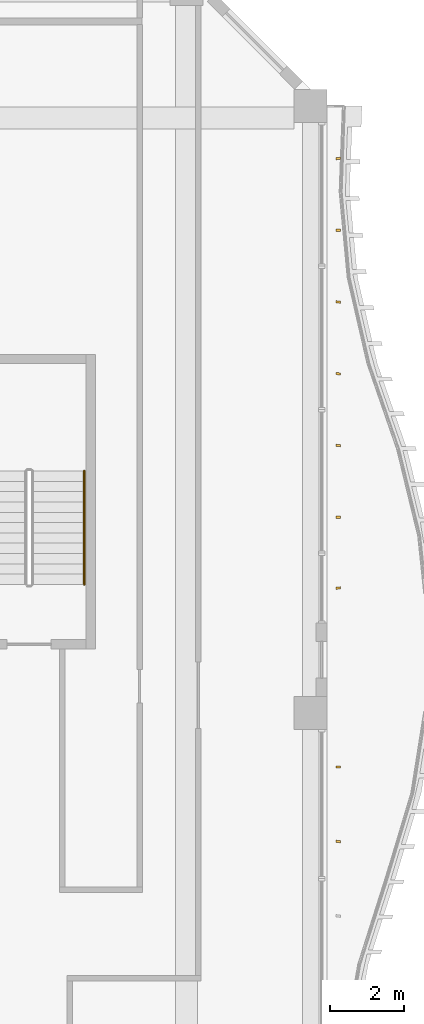
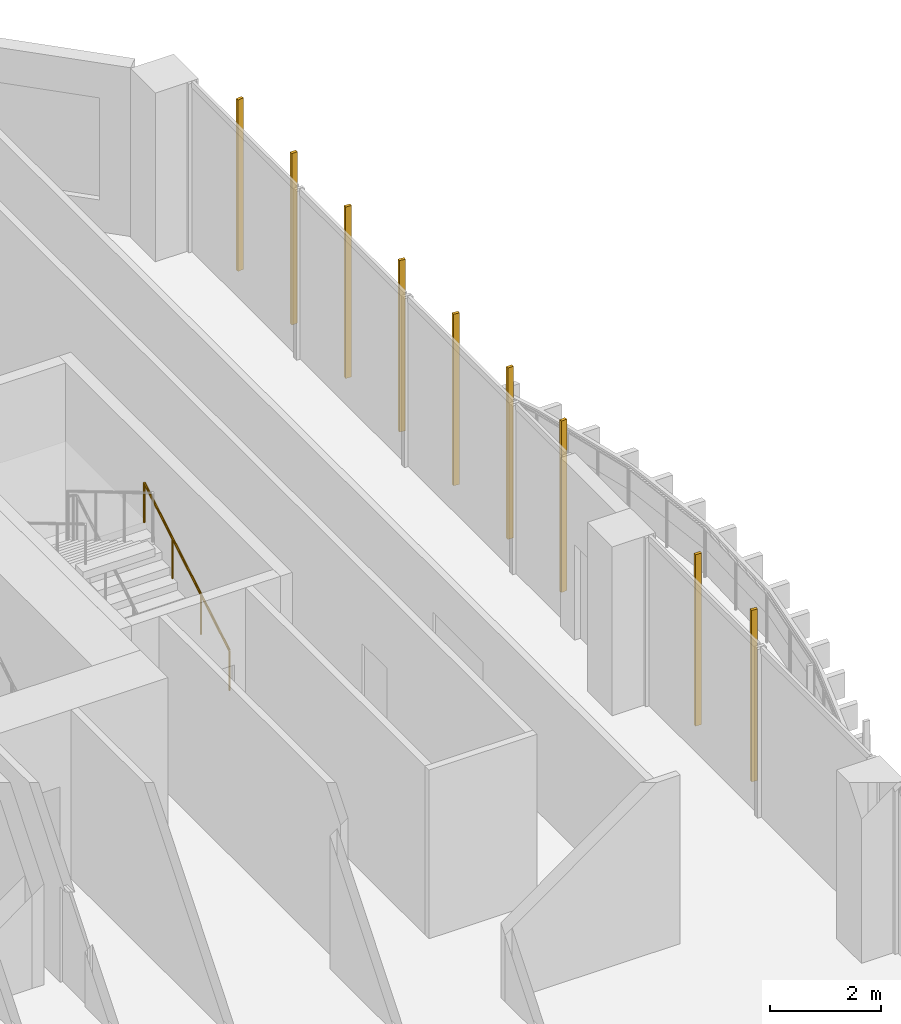
# One storey, part 27 of 27: 9 shading devices, 1 railing.
"""IFC4 building model written with IfcOpenShell, lengths in metres."""

from ifc_helpers import new_model, si_unit, direction, frame, origin, origin_2d, place, context, subcontext, project, spatial, rectangle, circle, extrude, source, transform, mapped, material, material_profile, profile_set, type_object, element, save


model = new_model("IFC4")

# Units and contexts
model_context = context("Model", 3, precision=1e-05, world=origin(), true_north=direction((0.0, 1.0)))
body_context = subcontext(model_context, "Body", "Model", "MODEL_VIEW")
ifc_project = project(units=[si_unit("LENGTHUNIT", "METRE"), si_unit("AREAUNIT", "SQUARE_METRE"), si_unit("VOLUMEUNIT", "CUBIC_METRE"), si_unit("PLANEANGLEUNIT", "RADIAN"), si_unit("MASSUNIT", "GRAM", prefix="KILO")], contexts=[model_context])

# Site, building, storey
site_placement = place(None, origin())
site = spatial("IfcSite", under=ifc_project, at=site_placement, CompositionType="ELEMENT")
building_placement = place(site_placement, origin())
building = spatial("IfcBuilding", under=site, at=building_placement, Name="Kilnfold Tower and Market Hall", CompositionType="ELEMENT")
storey_placement = place(building_placement, frame((0.0, 0.0, 43.0)))
storey = spatial("IfcBuildingStorey", under=building, at=storey_placement, Name="L09", CompositionType="ELEMENT", Elevation=43.0)

# Railing
ifc_material_1 = material(Name="Stainless steel 316", Category="steel")
railing_type = type_object("IfcRailingType", Name="CORE STAIR HANDRAIL 900", PredefinedType="HANDRAIL", material=ifc_material_1)
railing_placement = place(storey_placement, frame((21.39990234375, 11.5, 0.166748046875)))
element("IfcRailing", 1, at=railing_placement, inside=storey, type_object=railing_type, Name="L09 ST5 stair handrail 1", PredefinedType="HANDRAIL", context=body_context, shape_type="SweptSolid", body=[
    extrude(circle(Radius=0.02392578125, at=origin_2d()), frame((0.0, 0.0, 0.8759765625), z_axis=(0.0, 0.859308565015, 0.511457515432), x_axis=(-1.0, 0.0, 0.0)), (0.0, 0.0, 1.0), 3.58447265625),
    extrude(circle(Radius=0.02099609375, at=origin_2d()), origin(), (0.0, 0.0, 1.0), 0.851806640625),
    extrude(circle(Radius=0.02099609375, at=origin_2d()), frame((0.0, 1.026611328125, 0.611083984375)), (0.0, 0.0, 1.0), 0.851806640625),
    extrude(circle(Radius=0.02099609375, at=origin_2d()), frame((0.0, 2.053466796875, 1.22216796875)), (0.0, 0.0, 1.0), 0.851806640625),
    extrude(circle(Radius=0.02099609375, at=origin_2d()), frame((0.0, 3.080078125, 1.833251953125)), (0.0, 0.0, 1.0), 0.851806640625),
])

# Shading devices
ifc_material_2 = material(Name="Terracotta", Category="masonry")
ifc_material_profile = material_profile(ifc_material_2, rectangle(XDim=0.06005859375, YDim=0.1201171875, at=origin_2d()), Name="BAG 60x120")
ifc_profile_set = profile_set([ifc_material_profile], Name="Terracotta")
shading_device_type = type_object("IfcShadingDeviceType", Name="BAGUETTE", PredefinedType="USERDEFINED", material=ifc_profile_set)
shared_shape = source(origin(), body_context, "Body", "SweptSolid", [
    extrude(rectangle(XDim=0.06005859375, YDim=0.1201171875, at=origin_2d()), origin(), (0.0, 0.0, 1.0), 3.780029296875),
])
for number, where, z_axis, x_axis, name in (
    (2, (28.300048828125, 4.512451171875, 0.0), (0.0, 0.0, 1.0), (0.122518937193, 0.992466175761, 0.0), "Terracotta baguette L09 E"),
    (3, (28.300048828125, 6.53759765625, 0.0), (0.0, 0.0, 1.0), (0.023123551404, 0.999732614938, 0.0), "Terracotta baguette L09 E"),
    (4, (28.300048828125, 11.39990234375, 0.0), (0.0, 0.0, 1.0), (-0.125689928219, 0.992069575153, 0.0), "Terracotta baguette L09 E"),
    (5, (28.300048828125, 13.324951171875, 0.0), (0.0, 0.0, 1.0), (-0.036125689155, 0.999347254253, 0.0), "Terracotta baguette L09 E"),
    (6, (28.300048828125, 15.27490234375, 0.0), (0.0, 0.0, 1.0), (0.08028938878, 0.996771595728, 0.0), "Terracotta baguette L09 E"),
    (7, (28.300048828125, 17.22509765625, 0.0), (0.0, 0.0, 1.0), (0.138706432691, 0.990333542565, 0.0), "Terracotta baguette L09 E"),
    (8, (28.300048828125, 19.175048828125, 0.0), (0.0, 0.0, 1.0), (0.097829550688, 0.995203184788, 0.0), "Terracotta baguette L09 E"),
    (9, (28.300048828125, 21.125, 0.0), (0.0, 0.0, 1.0), (-0.013560792626, 0.999908048224, 0.0), "Terracotta baguette L09 E"),
    (10, (28.300048828125, 23.074951171875, 0.0), (0.0, 0.0, 1.0), (-0.115112258723, 0.993352489246, 0.0), "Terracotta baguette L09 E"),
):
    element("IfcShadingDevice", number, at=place(storey_placement, frame(where, z_axis=z_axis, x_axis=x_axis)), inside=storey, type_object=shading_device_type, Name=name, ObjectType="BAGUETTE", PredefinedType="USERDEFINED", context=body_context, shape_type="MappedRepresentation", body=[
        mapped(shared_shape, transform((0.0, 0.0, 0.0))),
    ])

save(model, "model.ifc")
